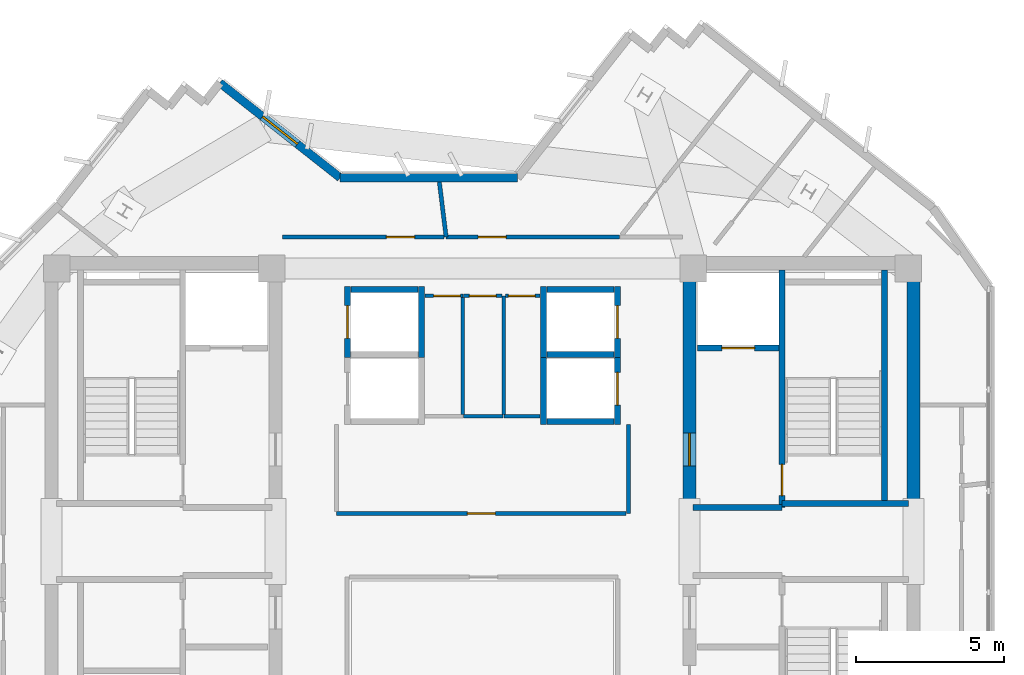
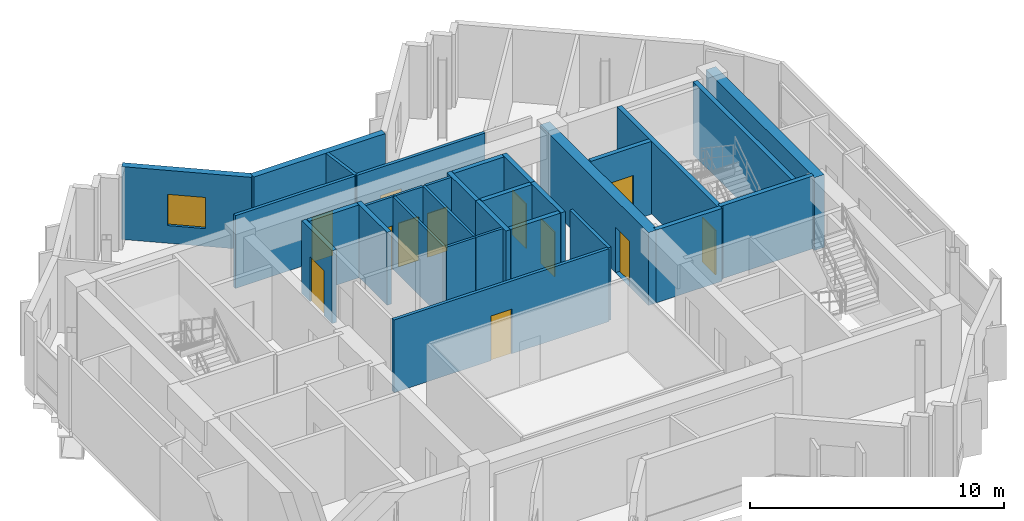
# One storey, part 7 of 10: 31 walls, 12 doors, 1 window, 13 openings.
"""IFC4 building model written with IfcOpenShell, lengths in metres."""

from ifc_helpers import new_model, si_unit, direction, frame, frame_2d, origin, place, context, subcontext, project, spatial, rectangle, extrude, source, transform, mapped, material, layer, layer_set, type_object, element, fill, save


model = new_model("IFC4")

# Units and contexts
model_context = context("Model", 3, precision=1e-05, world=origin(), true_north=direction((0.0, 1.0)))
body_context = subcontext(model_context, "Body", "Model", "MODEL_VIEW")
ifc_project = project(units=[si_unit("LENGTHUNIT", "METRE"), si_unit("AREAUNIT", "SQUARE_METRE"), si_unit("VOLUMEUNIT", "CUBIC_METRE"), si_unit("PLANEANGLEUNIT", "RADIAN"), si_unit("MASSUNIT", "GRAM", prefix="KILO")], contexts=[model_context])

# Site, building, storey
site_placement = place(None, origin())
site = spatial("IfcSite", under=ifc_project, at=site_placement, CompositionType="ELEMENT")
building_placement = place(site_placement, origin())
building = spatial("IfcBuilding", under=site, at=building_placement, Name="Zahravan Cultural Tower", CompositionType="ELEMENT")
storey_placement = place(building_placement, frame((0.0, 0.0, 319.800048828125)))
storey = spatial("IfcBuildingStorey", under=building, at=storey_placement, Name="L77", CompositionType="ELEMENT", Elevation=319.800048828125)

# Wall, opening, door
ifc_material_1 = material(Name="Concrete C50/60", Category="concrete")
ifc_layer_1 = layer(ifc_material_1, 0.449951171875)
ifc_layer_set_1 = layer_set([ifc_layer_1], Name="Concrete C50/60")
wall_type_1 = type_object("IfcWallType", Name="CW-SHEAR-450-C50", PredefinedType="SHEAR", material=ifc_layer_set_1)
wall_1_placement = place(storey_placement, frame((42.97509765625, 28.050048828125, 0.0), z_axis=(0.0, 0.0, 1.0), x_axis=(0.0, 1.0, 0.0)))
wall_1 = element("IfcWall", 1, at=wall_1_placement, inside=storey, type_object=wall_type_1, Name="L77 Core Shear Wall CW-E-WN-L77", PredefinedType="SHEAR", context=body_context, shape_type="SweptSolid", body=[
    extrude(rectangle(XDim=8.550048828125, YDim=0.449951171875, at=frame_2d((4.27490234375, 0.0))), origin(), (0.0, 0.0, 1.0), 3.5),
])
opening_1_placement = place(wall_1_placement, frame((1.5, 0.0, 0.0)))
opening_1 = element("IfcOpeningElement", 2, at=opening_1_placement, cuts=wall_1, Name="Opening D-L77-07", PredefinedType="OPENING", context=body_context, shape_type="SweptSolid", body=[
    extrude(rectangle(XDim=1.10009765625, YDim=2.199951171875, at=frame_2d((0.550048828125, 1.10009765625))), frame((0.0, 0.23486328125, 0.0), z_axis=(0.0, -1.0, 0.0), x_axis=(1.0, 0.0, 0.0)), (0.0, 0.0, 1.0), 0.469970703125),
])
ifc_material_2 = material(Name="Steel ASTM A572 Grade 50", Category="steel")
door_type_1 = type_object("IfcDoorType", Name="DR-LOBBY-1100", OperationType="NOTDEFINED", PredefinedType="DOOR", material=ifc_material_2)
shared_shape_1 = source(origin(), body_context, "Body", "SweptSolid", [
    extrude(rectangle(XDim=1.10009765625, YDim=2.199951171875, at=frame_2d((0.550048828125, 1.10009765625))), frame((0.0, 0.02490234375, 0.0), z_axis=(0.0, -1.0, 0.0), x_axis=(1.0, 0.0, 0.0)), (0.0, 0.0, 1.0), 0.050048828125),
])
door_1_placement = place(opening_1_placement, origin())
door_1 = element("IfcDoor", 3, at=door_1_placement, inside=storey, type_object=door_type_1, Name="L77 Door D-L77-07", OperationType="SINGLE_SWING_LEFT", OverallHeight=2.199951171875, OverallWidth=1.10009765625, PredefinedType="DOOR", context=body_context, shape_type="MappedRepresentation", body=[
    mapped(shared_shape_1, transform((0.0, 0.0, 0.0), x_axis=(1.0, 0.0, 0.0), y_axis=(0.0, 1.0, 0.0), z_axis=(0.0, 0.0, 1.0), scale=1.0)),
])
fill(opening_1, door_1)

# Wall, opening, window
ifc_material_3 = material(Name="Precast concrete C40/50", Category="concrete")
ifc_layer_2 = layer(ifc_material_3, 0.280029296875)
ifc_layer_set_2 = layer_set([ifc_layer_2], Name="Precast concrete C40/50")
wall_type_2 = type_object("IfcWallType", Name="EW-TC-280", PredefinedType="SOLIDWALL", material=ifc_layer_set_2)
wall_2_placement = place(storey_placement, frame((27.14990234375, 42.457763671875, 0.0), z_axis=(0.0, 0.0, 1.0), x_axis=(0.78530363687, -0.61911081231, 0.0)))
wall_2 = element("IfcWall", 4, at=wall_2_placement, inside=storey, type_object=wall_type_2, Name="L77 Exterior Masonry Frame Wall 07", PredefinedType="SOLIDWALL", context=body_context, shape_type="SweptSolid", body=[
    extrude(rectangle(XDim=5.1650390625, YDim=0.280029296875, at=frame_2d((2.58251953125, 0.0))), origin(), (0.0, 0.0, 1.0), 3.5),
])
opening_2_placement = place(wall_2_placement, frame((1.8330078125, 0.0, 0.85009765625)))
opening_2 = element("IfcOpeningElement", 5, at=opening_2_placement, cuts=wall_2, Name="Opening WN-03", PredefinedType="OPENING", context=body_context, shape_type="SweptSolid", body=[
    extrude(rectangle(XDim=1.5, YDim=1.5, at=frame_2d((0.75, 0.75))), frame((0.0, 0.14990234375, 0.0), z_axis=(0.0, -1.0, 0.0), x_axis=(1.0, 0.0, 0.0)), (0.0, 0.0, 1.0), 0.300048828125),
])
ifc_material_4 = material(Name="Low-E solar-control double glazing", Category="glass")
window_type = type_object("IfcWindowType", Name="WN-REC-1500X1500", PartitioningType="SINGLE_PANEL", PredefinedType="WINDOW", material=ifc_material_4)
shared_shape_2 = source(origin(), body_context, "Body", "SweptSolid", [
    extrude(rectangle(XDim=1.5, YDim=1.5, at=frame_2d((0.75, 0.75))), frame((0.0, 0.030029296875, 0.0), z_axis=(0.0, -1.0, 0.0), x_axis=(1.0, 0.0, 0.0)), (0.0, 0.0, 1.0), 0.06005859375),
])
window_placement = place(opening_2_placement, origin())
window = element("IfcWindow", 6, at=window_placement, inside=storey, type_object=window_type, Name="L77 Recessed Solar Window 03", OverallHeight=1.5, OverallWidth=1.5, PartitioningType="SINGLE_PANEL", PredefinedType="WINDOW", context=body_context, shape_type="MappedRepresentation", body=[
    mapped(shared_shape_2, transform((0.0, 0.0, 0.0), x_axis=(1.0, 0.0, 0.0), y_axis=(0.0, 1.0, 0.0), z_axis=(0.0, 0.0, 1.0), scale=1.0)),
])
fill(opening_2, window)

# Wall, opening, door
ifc_material_5 = material(Name="Gypsum plasterboard partition")
ifc_layer_3 = layer(ifc_material_5, 0.139892578125)
ifc_layer_set_3 = layer_set([ifc_layer_3], Name="Gypsum plasterboard partition")
wall_type_3 = type_object("IfcWallType", Name="W-PART-140", PredefinedType="PARTITIONING", material=ifc_layer_set_3)
wall_3_placement = place(storey_placement, frame((40.844970703125, 27.93994140625, 0.0), z_axis=(0.0, 0.0, 1.0), x_axis=(-1.0, 0.0, 0.0)))
wall_3 = element("IfcWall", 7, at=wall_3_placement, inside=storey, type_object=wall_type_3, Name="L77 Interior Wall 074", PredefinedType="PARTITIONING", context=body_context, shape_type="SweptSolid", body=[
    extrude(rectangle(XDim=9.764892578125, YDim=0.139892578125, at=frame_2d((4.88232421875, 0.0))), origin(), (0.0, 0.0, 1.0), 3.5),
])
opening_3_placement = place(wall_3_placement, frame((4.407470703125, 0.0, 0.0)))
opening_3 = element("IfcOpeningElement", 8, at=opening_3_placement, cuts=wall_3, Name="Opening D-L77-16", PredefinedType="OPENING", context=body_context, shape_type="SweptSolid", body=[
    extrude(rectangle(XDim=0.949951171875, YDim=2.14990234375, at=frame_2d((0.47509765625, 1.074951171875))), frame((0.0, 0.079833984375, 0.0), z_axis=(0.0, -1.0, 0.0), x_axis=(1.0, 0.0, 0.0)), (0.0, 0.0, 1.0), 0.159912109375),
])
ifc_material_6 = material(Name="Anodised bronze-aluminium mullion", Category="aluminium")
door_type_2 = type_object("IfcDoorType", Name="DR-ROOM-950", OperationType="NOTDEFINED", PredefinedType="DOOR", material=ifc_material_6)
shared_shape_3 = source(origin(), body_context, "Body", "SweptSolid", [
    extrude(rectangle(XDim=0.949951171875, YDim=2.14990234375, at=frame_2d((0.47509765625, 1.074951171875))), frame((0.0, 0.02490234375, 0.0), z_axis=(0.0, -1.0, 0.0), x_axis=(1.0, 0.0, 0.0)), (0.0, 0.0, 1.0), 0.050048828125),
])
door_2_placement = place(opening_3_placement, origin())
door_2 = element("IfcDoor", 9, at=door_2_placement, inside=storey, type_object=door_type_2, Name="L77 Door D-L77-16", OperationType="SINGLE_SWING_RIGHT", OverallHeight=2.14990234375, OverallWidth=0.949951171875, PredefinedType="DOOR", context=body_context, shape_type="MappedRepresentation", body=[
    mapped(shared_shape_3, transform((0.0, 0.0, 0.0), x_axis=(1.0, 0.0, 0.0), y_axis=(0.0, 1.0, 0.0), z_axis=(0.0, 0.0, 1.0), scale=1.0)),
])
fill(opening_3, door_2)

wall_4_placement = place(storey_placement, frame((40.612060546875, 37.260009765625, 0.0), z_axis=(0.0, 0.0, 1.0), x_axis=(-1.0, 0.0, 0.0)))
wall_4 = element("IfcWall", 10, at=wall_4_placement, inside=storey, type_object=wall_type_3, Name="L77 Interior Wall 076", PredefinedType="PARTITIONING", context=body_context, shape_type="SweptSolid", body=[
    extrude(rectangle(XDim=5.836669921875, YDim=0.139892578125, at=frame_2d((2.91845703125, 0.0))), origin(), (0.0, 0.0, 1.0), 3.5),
])
opening_4_placement = place(wall_4_placement, frame((3.8115234375, 0.0, 0.0)))
opening_4 = element("IfcOpeningElement", 11, at=opening_4_placement, cuts=wall_4, Name="Opening D-L77-18", PredefinedType="OPENING", context=body_context, shape_type="SweptSolid", body=[
    extrude(rectangle(XDim=0.949951171875, YDim=2.14990234375, at=frame_2d((0.47509765625, 1.074951171875))), frame((0.0, 0.079833984375, 0.0), z_axis=(0.0, -1.0, 0.0), x_axis=(1.0, 0.0, 0.0)), (0.0, 0.0, 1.0), 0.159912109375),
])
door_3_placement = place(opening_4_placement, origin())
door_3 = element("IfcDoor", 12, at=door_3_placement, inside=storey, type_object=door_type_2, Name="L77 Door D-L77-18", OperationType="SINGLE_SWING_RIGHT", OverallHeight=2.14990234375, OverallWidth=0.949951171875, PredefinedType="DOOR", context=body_context, shape_type="MappedRepresentation", body=[
    mapped(shared_shape_3, transform((0.0, 0.0, 0.0), x_axis=(1.0, 0.0, 0.0), y_axis=(0.0, 1.0, 0.0), z_axis=(0.0, 0.0, 1.0), scale=1.0)),
])
fill(opening_4, door_3)

wall_5_placement = place(storey_placement, frame((34.69970703125, 37.260009765625, 0.0), z_axis=(0.0, 0.0, 1.0), x_axis=(-0.999999995981, -8.9657955e-05, 0.0)))
wall_5 = element("IfcWall", 13, at=wall_5_placement, inside=storey, type_object=wall_type_3, Name="L77 Interior Wall 080", PredefinedType="PARTITIONING", context=body_context, shape_type="SweptSolid", body=[
    extrude(rectangle(XDim=5.446044921875, YDim=0.139892578125, at=frame_2d((2.72314453125, 0.0))), origin(), (0.0, 0.0, 1.0), 3.5),
])
opening_5_placement = place(wall_5_placement, frame((0.989013671875, 0.0, 0.0)))
opening_5 = element("IfcOpeningElement", 14, at=opening_5_placement, cuts=wall_5, Name="Opening D-L77-19", PredefinedType="OPENING", context=body_context, shape_type="SweptSolid", body=[
    extrude(rectangle(XDim=0.949951171875, YDim=2.14990234375, at=frame_2d((0.47509765625, 1.074951171875))), frame((0.0, 0.079833984375, 0.0), z_axis=(0.0, -1.0, 0.0), x_axis=(1.0, 0.0, 0.0)), (0.0, 0.0, 1.0), 0.159912109375),
])
door_4_placement = place(opening_5_placement, origin())
door_4 = element("IfcDoor", 15, at=door_4_placement, inside=storey, type_object=door_type_2, Name="L77 Door D-L77-19", OperationType="SINGLE_SWING_LEFT", OverallHeight=2.14990234375, OverallWidth=0.949951171875, PredefinedType="DOOR", context=body_context, shape_type="MappedRepresentation", body=[
    mapped(shared_shape_3, transform((0.0, 0.0, 0.0), x_axis=(1.0, 0.0, 0.0), y_axis=(0.0, 1.0, 0.0), z_axis=(0.0, 0.0, 1.0), scale=1.0)),
])
fill(opening_5, door_4)

ifc_material_7 = material(Name="Concrete C45/55", Category="concrete")
ifc_layer_4 = layer(ifc_material_7, 0.199951171875)
ifc_layer_set_4 = layer_set([ifc_layer_4], Name="Concrete C45/55")
wall_type_4 = type_object("IfcWallType", Name="W-SHAFT-200", PredefinedType="SOLIDWALL", material=ifc_layer_set_4)
wall_6_placement = place(storey_placement, frame((46.10009765625, 28.14990234375, 0.0), z_axis=(0.0, 0.0, 1.0), x_axis=(0.0, 1.0, 0.0)))
wall_6 = element("IfcWall", 16, at=wall_6_placement, inside=storey, type_object=wall_type_4, Name="L77 Interior Wall 008", PredefinedType="SOLIDWALL", context=body_context, shape_type="SweptSolid", body=[
    extrude(rectangle(XDim=8.0, YDim=0.199951171875, at=frame_2d((4.0, 0.0))), origin(), (0.0, 0.0, 1.0), 3.5),
])
opening_6_placement = place(wall_6_placement, frame((0.39990234375, 0.0, 0.0)))
opening_6 = element("IfcOpeningElement", 17, at=opening_6_placement, cuts=wall_6, Name="Opening D-L77-02", PredefinedType="OPENING", context=body_context, shape_type="SweptSolid", body=[
    extrude(rectangle(XDim=1.050048828125, YDim=2.14990234375, at=frame_2d((0.52490234375, 1.074951171875))), frame((0.0, 0.10986328125, 0.0), z_axis=(0.0, -1.0, 0.0), x_axis=(1.0, 0.0, 0.0)), (0.0, 0.0, 1.0), 0.219970703125),
])
door_type_3 = type_object("IfcDoorType", Name="DR-STAIR-1050", OperationType="NOTDEFINED", PredefinedType="DOOR", material=ifc_material_2)
shared_shape_4 = source(origin(), body_context, "Body", "SweptSolid", [
    extrude(rectangle(XDim=1.050048828125, YDim=2.14990234375, at=frame_2d((0.52490234375, 1.074951171875))), frame((0.0, 0.02490234375, 0.0), z_axis=(0.0, -1.0, 0.0), x_axis=(1.0, 0.0, 0.0)), (0.0, 0.0, 1.0), 0.050048828125),
])
door_5_placement = place(opening_6_placement, origin())
door_5 = element("IfcDoor", 18, at=door_5_placement, inside=storey, type_object=door_type_3, Name="L77 Door D-L77-02", OperationType="SINGLE_SWING_RIGHT", OverallHeight=2.14990234375, OverallWidth=1.050048828125, PredefinedType="DOOR", context=body_context, shape_type="MappedRepresentation", body=[
    mapped(shared_shape_4, transform((0.0, 0.0, 0.0), x_axis=(1.0, 0.0, 0.0), y_axis=(0.0, 1.0, 0.0), z_axis=(0.0, 0.0, 1.0), scale=1.0)),
])
fill(opening_6, door_5)

wall_7_placement = place(storey_placement, frame((43.25, 33.52001953125, 0.0), z_axis=(0.0, 0.0, 1.0), x_axis=(1.0, 0.0, 0.0)))
wall_7 = element("IfcWall", 19, at=wall_7_placement, inside=storey, type_object=wall_type_4, Name="L77 Interior Wall 023", PredefinedType="SOLIDWALL", context=body_context, shape_type="SweptSolid", body=[
    extrude(rectangle(XDim=2.75, YDim=0.199951171875, at=frame_2d((1.375, 0.0))), origin(), (0.0, 0.0, 1.0), 3.5),
])
opening_7_placement = place(wall_7_placement, frame((0.820068359375, 0.0, 0.0)))
opening_7 = element("IfcOpeningElement", 20, at=opening_7_placement, cuts=wall_7, Name="Opening LD-L77-02", PredefinedType="OPENING", context=body_context, shape_type="SweptSolid", body=[
    extrude(rectangle(XDim=1.10009765625, YDim=2.14990234375, at=frame_2d((0.550048828125, 1.074951171875))), frame((0.0, 0.10986328125, 0.0), z_axis=(0.0, -1.0, 0.0), x_axis=(1.0, 0.0, 0.0)), (0.0, 0.0, 1.0), 0.219970703125),
])
door_type_4 = type_object("IfcDoorType", Name="DR-LIFT-1100", OperationType="DOUBLE_DOOR_SLIDING", PredefinedType="DOOR", material=ifc_material_2)
shared_shape_5 = source(origin(), body_context, "Body", "SweptSolid", [
    extrude(rectangle(XDim=1.10009765625, YDim=2.14990234375, at=frame_2d((0.550048828125, 1.074951171875))), frame((0.0, 0.02490234375, 0.0), z_axis=(0.0, -1.0, 0.0), x_axis=(1.0, 0.0, 0.0)), (0.0, 0.0, 1.0), 0.050048828125),
])
door_6_placement = place(opening_7_placement, origin())
door_6 = element("IfcDoor", 21, at=door_6_placement, inside=storey, type_object=door_type_4, Name="L77 Door LD-L77-02", OperationType="DOUBLE_DOOR_SLIDING", OverallHeight=2.14990234375, OverallWidth=1.10009765625, PredefinedType="DOOR", context=body_context, shape_type="MappedRepresentation", body=[
    mapped(shared_shape_5, transform((0.0, 0.0, 0.0), x_axis=(1.0, 0.0, 0.0), y_axis=(0.0, 1.0, 0.0), z_axis=(0.0, 0.0, 1.0), scale=1.0)),
])
fill(opening_7, door_6)

wall_8_placement = place(storey_placement, frame((31.449951171875, 33.199951171875, 0.0), z_axis=(0.0, 0.0, 1.0), x_axis=(0.0, 1.0, 0.0)))
wall_8 = element("IfcWall", 22, at=wall_8_placement, inside=storey, type_object=wall_type_4, Name="L77 Interior Wall 027", PredefinedType="SOLIDWALL", context=body_context, shape_type="SweptSolid", body=[
    extrude(rectangle(XDim=2.400146484375, YDim=0.199951171875, at=frame_2d((1.2001953125, 0.0))), origin(), (0.0, 0.0, 1.0), 3.5),
])
opening_8_placement = place(wall_8_placement, frame((0.64990234375, 0.0, 0.0)))
opening_8 = element("IfcOpeningElement", 23, at=opening_8_placement, cuts=wall_8, Name="Opening LD-L77-04", PredefinedType="OPENING", context=body_context, shape_type="SweptSolid", body=[
    extrude(rectangle(XDim=1.10009765625, YDim=2.14990234375, at=frame_2d((0.550048828125, 1.074951171875))), frame((0.0, 0.10986328125, 0.0), z_axis=(0.0, -1.0, 0.0), x_axis=(1.0, 0.0, 0.0)), (0.0, 0.0, 1.0), 0.219970703125),
])
door_7_placement = place(opening_8_placement, origin())
door_7 = element("IfcDoor", 24, at=door_7_placement, inside=storey, type_object=door_type_4, Name="L77 Door LD-L77-04", OperationType="DOUBLE_DOOR_SLIDING", OverallHeight=2.14990234375, OverallWidth=1.10009765625, PredefinedType="DOOR", context=body_context, shape_type="MappedRepresentation", body=[
    mapped(shared_shape_5, transform((0.0, 0.0, 0.0), x_axis=(1.0, 0.0, 0.0), y_axis=(0.0, 1.0, 0.0), z_axis=(0.0, 0.0, 1.0), scale=1.0)),
])
fill(opening_8, door_7)

wall_9_placement = place(storey_placement, frame((40.550048828125, 33.199951171875, 0.0), z_axis=(0.0, 0.0, 1.0), x_axis=(0.0, 1.0, 0.0)))
wall_9 = element("IfcWall", 25, at=wall_9_placement, inside=storey, type_object=wall_type_4, Name="L77 Interior Wall 035", PredefinedType="SOLIDWALL", context=body_context, shape_type="SweptSolid", body=[
    extrude(rectangle(XDim=2.400146484375, YDim=0.199951171875, at=frame_2d((1.2001953125, 0.0))), origin(), (0.0, 0.0, 1.0), 3.5),
])
opening_9_placement = place(wall_9_placement, frame((0.64990234375, 0.0, 0.0)))
opening_9 = element("IfcOpeningElement", 26, at=opening_9_placement, cuts=wall_9, Name="Opening LD-L77-06", PredefinedType="OPENING", context=body_context, shape_type="SweptSolid", body=[
    extrude(rectangle(XDim=1.10009765625, YDim=2.14990234375, at=frame_2d((0.550048828125, 1.074951171875))), frame((0.0, 0.10986328125, 0.0), z_axis=(0.0, -1.0, 0.0), x_axis=(1.0, 0.0, 0.0)), (0.0, 0.0, 1.0), 0.219970703125),
])
door_8_placement = place(opening_9_placement, origin())
door_8 = element("IfcDoor", 27, at=door_8_placement, inside=storey, type_object=door_type_4, Name="L77 Door LD-L77-06", OperationType="DOUBLE_DOOR_SLIDING", OverallHeight=2.14990234375, OverallWidth=1.10009765625, PredefinedType="DOOR", context=body_context, shape_type="MappedRepresentation", body=[
    mapped(shared_shape_5, transform((0.0, 0.0, 0.0), x_axis=(1.0, 0.0, 0.0), y_axis=(0.0, 1.0, 0.0), z_axis=(0.0, 0.0, 1.0), scale=1.0)),
])
fill(opening_9, door_8)

wall_10_placement = place(storey_placement, frame((40.550048828125, 30.949951171875, 0.0), z_axis=(0.0, 0.0, 1.0), x_axis=(0.0, 1.0, 0.0)))
wall_10 = element("IfcWall", 28, at=wall_10_placement, inside=storey, type_object=wall_type_4, Name="L77 Interior Wall 039", PredefinedType="SOLIDWALL", context=body_context, shape_type="SweptSolid", body=[
    extrude(rectangle(XDim=2.400146484375, YDim=0.199951171875, at=frame_2d((1.2001953125, 0.0))), origin(), (0.0, 0.0, 1.0), 3.5),
])
opening_10_placement = place(wall_10_placement, frame((0.64990234375, 0.0, 0.0)))
opening_10 = element("IfcOpeningElement", 29, at=opening_10_placement, cuts=wall_10, Name="Opening LD-L77-07", PredefinedType="OPENING", context=body_context, shape_type="SweptSolid", body=[
    extrude(rectangle(XDim=1.10009765625, YDim=2.14990234375, at=frame_2d((0.550048828125, 1.074951171875))), frame((0.0, 0.10986328125, 0.0), z_axis=(0.0, -1.0, 0.0), x_axis=(1.0, 0.0, 0.0)), (0.0, 0.0, 1.0), 0.219970703125),
])
door_9_placement = place(opening_10_placement, origin())
door_9 = element("IfcDoor", 30, at=door_9_placement, inside=storey, type_object=door_type_4, Name="L77 Door LD-L77-07", OperationType="DOUBLE_DOOR_SLIDING", OverallHeight=2.14990234375, OverallWidth=1.10009765625, PredefinedType="DOOR", context=body_context, shape_type="MappedRepresentation", body=[
    mapped(shared_shape_5, transform((0.0, 0.0, 0.0), x_axis=(1.0, 0.0, 0.0), y_axis=(0.0, 1.0, 0.0), z_axis=(0.0, 0.0, 1.0), scale=1.0)),
])
fill(opening_10, door_9)

ifc_layer_5 = layer(ifc_material_5, 0.114990234375)
ifc_layer_set_5 = layer_set([ifc_layer_5], Name="Gypsum plasterboard partition")
wall_type_5 = type_object("IfcWallType", Name="W-WC-115", PredefinedType="PARTITIONING", material=ifc_layer_set_5)
wall_11_placement = place(storey_placement, frame((36.782470703125, 35.280029296875, 0.0), z_axis=(0.0, 0.0, 1.0), x_axis=(1.0, 0.0, 0.0)))
wall_11 = element("IfcWall", 31, at=wall_11_placement, inside=storey, type_object=wall_type_5, Name="L77 Interior Wall 043", PredefinedType="PARTITIONING", context=body_context, shape_type="SweptSolid", body=[
    extrude(rectangle(XDim=1.16259765625, YDim=0.114990234375, at=frame_2d((0.581298828125, 0.0))), origin(), (0.0, 0.0, 1.0), 3.5),
])
opening_11_placement = place(wall_11_placement, frame((0.0888671875, 0.0, 0.0)))
opening_11 = element("IfcOpeningElement", 32, at=opening_11_placement, cuts=wall_11, Name="Opening D-L77-15", PredefinedType="OPENING", context=body_context, shape_type="SweptSolid", body=[
    extrude(rectangle(XDim=0.89990234375, YDim=2.10009765625, at=frame_2d((0.449951171875, 1.050048828125))), frame((0.0, 0.0673828125, 0.0), z_axis=(0.0, -1.0, 0.0), x_axis=(1.0, 0.0, 0.0)), (0.0, 0.0, 1.0), 0.135009765625),
])
door_type_5 = type_object("IfcDoorType", Name="DR-WC-900", OperationType="NOTDEFINED", PredefinedType="DOOR", material=ifc_material_6)
shared_shape_6 = source(origin(), body_context, "Body", "SweptSolid", [
    extrude(rectangle(XDim=0.89990234375, YDim=2.10009765625, at=frame_2d((0.449951171875, 1.050048828125))), frame((0.0, 0.02490234375, 0.0), z_axis=(0.0, -1.0, 0.0), x_axis=(1.0, 0.0, 0.0)), (0.0, 0.0, 1.0), 0.050048828125),
])
door_10_placement = place(opening_11_placement, origin())
door_10 = element("IfcDoor", 33, at=door_10_placement, inside=storey, type_object=door_type_5, Name="L77 Door D-L77-15", OperationType="SINGLE_SWING_LEFT", OverallHeight=2.10009765625, OverallWidth=0.89990234375, PredefinedType="DOOR", context=body_context, shape_type="MappedRepresentation", body=[
    mapped(shared_shape_6, transform((0.0, 0.0, 0.0), x_axis=(1.0, 0.0, 0.0), y_axis=(0.0, 1.0, 0.0), z_axis=(0.0, 0.0, 1.0), scale=1.0)),
])
fill(opening_11, door_10)

wall_12_placement = place(storey_placement, frame((34.054931640625, 35.280029296875, 0.0), z_axis=(0.0, 0.0, 1.0), x_axis=(1.0, 0.0, 0.0)))
wall_12 = element("IfcWall", 34, at=wall_12_placement, inside=storey, type_object=wall_type_5, Name="L77 Interior Wall 045", PredefinedType="PARTITIONING", context=body_context, shape_type="SweptSolid", body=[
    extrude(rectangle(XDim=1.28515625, YDim=0.114990234375, at=frame_2d((0.642578125, 0.0))), origin(), (0.0, 0.0, 1.0), 3.5),
])
opening_12_placement = place(wall_12_placement, frame((0.30029296875, 0.0, 0.0)))
opening_12 = element("IfcOpeningElement", 35, at=opening_12_placement, cuts=wall_12, Name="Opening D-L77-13", PredefinedType="OPENING", context=body_context, shape_type="SweptSolid", body=[
    extrude(rectangle(XDim=0.89990234375, YDim=2.10009765625, at=frame_2d((0.449951171875, 1.050048828125))), frame((0.0, 0.0673828125, 0.0), z_axis=(0.0, -1.0, 0.0), x_axis=(1.0, 0.0, 0.0)), (0.0, 0.0, 1.0), 0.135009765625),
])
door_11_placement = place(opening_12_placement, origin())
door_11 = element("IfcDoor", 36, at=door_11_placement, inside=storey, type_object=door_type_5, Name="L77 Door D-L77-13", OperationType="SINGLE_SWING_LEFT", OverallHeight=2.10009765625, OverallWidth=0.89990234375, PredefinedType="DOOR", context=body_context, shape_type="MappedRepresentation", body=[
    mapped(shared_shape_6, transform((0.0, 0.0, 0.0), x_axis=(1.0, 0.0, 0.0), y_axis=(0.0, 1.0, 0.0), z_axis=(0.0, 0.0, 1.0), scale=1.0)),
])
fill(opening_12, door_11)

wall_13_placement = place(storey_placement, frame((35.360107421875, 35.280029296875, 0.0), z_axis=(0.0, 0.0, 1.0), x_axis=(1.0, 0.0, 0.0)))
wall_13 = element("IfcWall", 37, at=wall_13_placement, inside=storey, type_object=wall_type_5, Name="L77 Interior Wall 048", PredefinedType="PARTITIONING", context=body_context, shape_type="SweptSolid", body=[
    extrude(rectangle(XDim=1.29736328125, YDim=0.114990234375, at=frame_2d((0.648681640625, 0.0))), origin(), (0.0, 0.0, 1.0), 3.5),
])
opening_13_placement = place(wall_13_placement, frame((0.19873046875, 0.0, 0.0)))
opening_13 = element("IfcOpeningElement", 38, at=opening_13_placement, cuts=wall_13, Name="Opening D-L77-14", PredefinedType="OPENING", context=body_context, shape_type="SweptSolid", body=[
    extrude(rectangle(XDim=0.89990234375, YDim=2.10009765625, at=frame_2d((0.449951171875, 1.050048828125))), frame((0.0, 0.0673828125, 0.0), z_axis=(0.0, -1.0, 0.0), x_axis=(1.0, 0.0, 0.0)), (0.0, 0.0, 1.0), 0.135009765625),
])
door_12_placement = place(opening_13_placement, origin())
door_12 = element("IfcDoor", 39, at=door_12_placement, inside=storey, type_object=door_type_5, Name="L77 Door D-L77-14", OperationType="SINGLE_SWING_RIGHT", OverallHeight=2.10009765625, OverallWidth=0.89990234375, PredefinedType="DOOR", context=body_context, shape_type="MappedRepresentation", body=[
    mapped(shared_shape_6, transform((0.0, 0.0, 0.0), x_axis=(1.0, 0.0, 0.0), y_axis=(0.0, 1.0, 0.0), z_axis=(0.0, 0.0, 1.0), scale=1.0)),
])
fill(opening_13, door_12)

# Walls
shared_shape_7 = source(origin(), body_context, "Body", "SweptSolid", [
    extrude(rectangle(XDim=8.550048828125, YDim=0.449951171875, at=frame_2d((4.27490234375, 0.0))), origin(), (0.0, 0.0, 1.0), 3.5),
])
wall_14_placement = place(storey_placement, frame((50.52490234375, 28.050048828125, 0.0), z_axis=(0.0, 0.0, 1.0), x_axis=(0.0, 1.0, 0.0)))
element("IfcWall", 40, at=wall_14_placement, inside=storey, type_object=wall_type_1, Name="L77 Core Shear Wall CW-E-EN-L77", PredefinedType="SHEAR", context=body_context, shape_type="MappedRepresentation", body=[
    mapped(shared_shape_7, transform((0.0, 0.0, 0.0), x_axis=(1.0, 0.0, 0.0), y_axis=(0.0, 1.0, 0.0), z_axis=(0.0, 0.0, 1.0), scale=1.0)),
])
shared_shape_8 = source(origin(), body_context, "Body", "SweptSolid", [
    extrude(rectangle(XDim=5.978271484375, YDim=0.280029296875, at=frame_2d((2.9892578125, 0.0))), origin(), (0.0, 0.0, 1.0), 3.5),
])
wall_15_placement = place(storey_placement, frame((31.2060546875, 39.260009765625, 0.0), z_axis=(0.0, 0.0, 1.0), x_axis=(1.0, 0.0, 0.0)))
element("IfcWall", 41, at=wall_15_placement, inside=storey, type_object=wall_type_2, Name="L77 Exterior Masonry Frame Wall 08", PredefinedType="SOLIDWALL", context=body_context, shape_type="MappedRepresentation", body=[
    mapped(shared_shape_8, transform((0.0, 0.0, 0.0), x_axis=(1.0, 0.0, 0.0), y_axis=(0.0, 1.0, 0.0), z_axis=(0.0, 0.0, 1.0), scale=1.0)),
])
shared_shape_9 = source(origin(), body_context, "Body", "SweptSolid", [
    extrude(rectangle(XDim=7.869873046875, YDim=0.199951171875, at=frame_2d((3.93505859375, 0.0))), origin(), (0.0, 0.0, 1.0), 3.5),
])
wall_16_placement = place(storey_placement, frame((49.550048828125, 28.280029296875, 0.0), z_axis=(0.0, 0.0, 1.0), x_axis=(0.0, 1.0, 0.0)))
element("IfcWall", 42, at=wall_16_placement, inside=storey, type_object=wall_type_4, Name="L77 Interior Wall 004", PredefinedType="SOLIDWALL", context=body_context, shape_type="MappedRepresentation", body=[
    mapped(shared_shape_9, transform((0.0, 0.0, 0.0), x_axis=(1.0, 0.0, 0.0), y_axis=(0.0, 1.0, 0.0), z_axis=(0.0, 0.0, 1.0), scale=1.0)),
])
shared_shape_10 = source(origin(), body_context, "Body", "SweptSolid", [
    extrude(rectangle(XDim=4.25, YDim=0.199951171875, at=frame_2d((2.125, 0.0))), origin(), (0.0, 0.0, 1.0), 3.5),
])
wall_17_placement = place(storey_placement, frame((46.10009765625, 28.284912109375, 0.0), z_axis=(0.0, 0.0, 1.0), x_axis=(1.0, 0.0, 0.0)))
element("IfcWall", 43, at=wall_17_placement, inside=storey, type_object=wall_type_4, Name="L77 Interior Wall 016", PredefinedType="SOLIDWALL", context=body_context, shape_type="MappedRepresentation", body=[
    mapped(shared_shape_10, transform((0.0, 0.0, 0.0), x_axis=(1.0, 0.0, 0.0), y_axis=(0.0, 1.0, 0.0), z_axis=(0.0, 0.0, 1.0), scale=1.0)),
])
shared_shape_11 = source(origin(), body_context, "Body", "SweptSolid", [
    extrude(rectangle(XDim=3.0, YDim=0.199951171875, at=frame_2d((1.5, 0.0))), origin(), (0.0, 0.0, 1.0), 3.5),
])
wall_18_placement = place(storey_placement, frame((43.10009765625, 28.14990234375, 0.0), z_axis=(0.0, 0.0, 1.0), x_axis=(1.0, 0.0, 0.0)))
element("IfcWall", 44, at=wall_18_placement, inside=storey, type_object=wall_type_4, Name="L77 Interior Wall 015", PredefinedType="SOLIDWALL", context=body_context, shape_type="MappedRepresentation", body=[
    mapped(shared_shape_11, transform((0.0, 0.0, 0.0), x_axis=(1.0, 0.0, 0.0), y_axis=(0.0, 1.0, 0.0), z_axis=(0.0, 0.0, 1.0), scale=1.0)),
])
shared_shape_12 = source(origin(), body_context, "Body", "SweptSolid", [
    extrude(rectangle(XDim=2.400146484375, YDim=0.199951171875, at=frame_2d((1.2001953125, 0.0))), origin(), (0.0, 0.0, 1.0), 3.5),
])
for number, where, z_axis, x_axis, name in (
    (45, (33.949951171875, 33.199951171875, 0.0), (0.0, 0.0, 1.0), (0.0, 1.0, 0.0), "L77 Interior Wall 028"),
    (46, (38.050048828125, 33.199951171875, 0.0), (0.0, 0.0, 1.0), (0.0, 1.0, 0.0), "L77 Interior Wall 034"),
    (47, (38.050048828125, 30.949951171875, 0.0), (0.0, 0.0, 1.0), (0.0, 1.0, 0.0), "L77 Interior Wall 038"),
):
    element("IfcWall", number, at=place(storey_placement, frame(where, z_axis=z_axis, x_axis=x_axis)), inside=storey, type_object=wall_type_4, Name=name, PredefinedType="SOLIDWALL", context=body_context, shape_type="MappedRepresentation", body=[
        mapped(shared_shape_12, transform((0.0, 0.0, 0.0), x_axis=(1.0, 0.0, 0.0), y_axis=(0.0, 1.0, 0.0), z_axis=(0.0, 0.0, 1.0), scale=1.0)),
    ])
shared_shape_13 = source(origin(), body_context, "Body", "SweptSolid", [
    extrude(rectangle(XDim=2.260009765625, YDim=0.199951171875, at=frame_2d((1.1298828125, 0.0))), origin(), (0.0, 0.0, 1.0), 3.5),
])
for number, where, z_axis, x_axis, name in (
    (48, (31.570068359375, 35.5, 0.0), (0.0, 0.0, 1.0), (1.0, 0.0, 0.0), "L77 Interior Wall 030"),
    (49, (38.169921875, 33.300048828125, 0.0), (0.0, 0.0, 1.0), (1.0, 0.0, 0.0), "L77 Interior Wall 036"),
    (50, (38.169921875, 35.5, 0.0), (0.0, 0.0, 1.0), (1.0, 0.0, 0.0), "L77 Interior Wall 037"),
    (51, (38.169921875, 31.050048828125, 0.0), (0.0, 0.0, 1.0), (1.0, 0.0, 0.0), "L77 Interior Wall 040"),
):
    element("IfcWall", number, at=place(storey_placement, frame(where, z_axis=z_axis, x_axis=x_axis)), inside=storey, type_object=wall_type_4, Name=name, PredefinedType="SOLIDWALL", context=body_context, shape_type="MappedRepresentation", body=[
        mapped(shared_shape_13, transform((0.0, 0.0, 0.0), x_axis=(1.0, 0.0, 0.0), y_axis=(0.0, 1.0, 0.0), z_axis=(0.0, 0.0, 1.0), scale=1.0)),
    ])
shared_shape_14 = source(origin(), body_context, "Body", "SweptSolid", [
    extrude(rectangle(XDim=1.22509765625, YDim=0.114990234375, at=frame_2d((0.612548828125, 0.0))), origin(), (0.0, 0.0, 1.0), 3.5),
])
wall_19_placement = place(storey_placement, frame((37.945068359375, 31.219970703125, 0.0), z_axis=(0.0, 0.0, 1.0), x_axis=(-1.0, 0.0, 0.0)))
element("IfcWall", 52, at=wall_19_placement, inside=storey, type_object=wall_type_5, Name="L77 Interior Wall 041", PredefinedType="PARTITIONING", context=body_context, shape_type="MappedRepresentation", body=[
    mapped(shared_shape_14, transform((0.0, 0.0, 0.0), x_axis=(1.0, 0.0, 0.0), y_axis=(0.0, 1.0, 0.0), z_axis=(0.0, 0.0, 1.0), scale=1.0)),
])
shared_shape_15 = source(origin(), body_context, "Body", "SweptSolid", [
    extrude(rectangle(XDim=3.99755859375, YDim=0.114990234375, at=frame_2d((1.998779296875, 0.0))), origin(), (0.0, 0.0, 1.0), 3.5),
])
wall_20_placement = place(storey_placement, frame((36.719970703125, 31.282470703125, 0.0), z_axis=(0.0, 0.0, 1.0), x_axis=(0.0, 1.0, 0.0)))
element("IfcWall", 53, at=wall_20_placement, inside=storey, type_object=wall_type_5, Name="L77 Interior Wall 042", PredefinedType="PARTITIONING", context=body_context, shape_type="MappedRepresentation", body=[
    mapped(shared_shape_15, transform((0.0, 0.0, 0.0), x_axis=(1.0, 0.0, 0.0), y_axis=(0.0, 1.0, 0.0), z_axis=(0.0, 0.0, 1.0), scale=1.0)),
])
shared_shape_16 = source(origin(), body_context, "Body", "SweptSolid", [
    extrude(rectangle(XDim=3.93505859375, YDim=0.114990234375, at=frame_2d((1.967529296875, 0.0))), origin(), (0.0, 0.0, 1.0), 3.5),
])
wall_21_placement = place(storey_placement, frame((35.340087890625, 35.217529296875, 0.0), z_axis=(0.0, 0.0, 1.0), x_axis=(0.0, -1.0, 0.0)))
element("IfcWall", 54, at=wall_21_placement, inside=storey, type_object=wall_type_5, Name="L77 Interior Wall 046", PredefinedType="PARTITIONING", context=body_context, shape_type="MappedRepresentation", body=[
    mapped(shared_shape_16, transform((0.0, 0.0, 0.0), x_axis=(1.0, 0.0, 0.0), y_axis=(0.0, 1.0, 0.0), z_axis=(0.0, 0.0, 1.0), scale=1.0)),
])
shared_shape_17 = source(origin(), body_context, "Body", "SweptSolid", [
    extrude(rectangle(XDim=1.33984375, YDim=0.114990234375, at=frame_2d((0.669921875, 0.0))), origin(), (0.0, 0.0, 1.0), 3.5),
])
wall_22_placement = place(storey_placement, frame((36.699951171875, 31.219970703125, 0.0), z_axis=(0.0, 0.0, 1.0), x_axis=(-1.0, 0.0, 0.0)))
element("IfcWall", 55, at=wall_22_placement, inside=storey, type_object=wall_type_5, Name="L77 Interior Wall 047", PredefinedType="PARTITIONING", context=body_context, shape_type="MappedRepresentation", body=[
    mapped(shared_shape_17, transform((0.0, 0.0, 0.0), x_axis=(1.0, 0.0, 0.0), y_axis=(0.0, 1.0, 0.0), z_axis=(0.0, 0.0, 1.0), scale=1.0)),
])
shared_shape_18 = source(origin(), body_context, "Body", "SweptSolid", [
    extrude(rectangle(XDim=3.010009765625, YDim=0.139892578125, at=frame_2d((1.5048828125, 0.0))), origin(), (0.0, 0.0, 1.0), 3.5),
])
wall_23_placement = place(storey_placement, frame((40.919921875, 30.949951171875, 0.0), z_axis=(0.0, 0.0, 1.0), x_axis=(0.0, -1.0, 0.0)))
element("IfcWall", 56, at=wall_23_placement, inside=storey, type_object=wall_type_3, Name="L77 Interior Wall 073", PredefinedType="PARTITIONING", context=body_context, shape_type="MappedRepresentation", body=[
    mapped(shared_shape_18, transform((0.0, 0.0, 0.0), x_axis=(1.0, 0.0, 0.0), y_axis=(0.0, 1.0, 0.0), z_axis=(0.0, 0.0, 1.0), scale=1.0)),
])
shared_shape_19 = source(origin(), body_context, "Body", "SweptSolid", [
    extrude(rectangle(XDim=1.86865234375, YDim=0.139892578125, at=frame_2d((0.934326171875, 0.0))), origin(), (0.0, 0.0, 1.0), 3.5),
])
wall_24_placement = place(storey_placement, frame((34.775390625, 37.26025390625, 0.0), z_axis=(0.0, 0.0, 1.0), x_axis=(-0.122153221409, 0.992511254596, 0.0)))
element("IfcWall", 57, at=wall_24_placement, inside=storey, type_object=wall_type_3, Name="L77 Interior Wall 077", PredefinedType="PARTITIONING", context=body_context, shape_type="MappedRepresentation", body=[
    mapped(shared_shape_19, transform((0.0, 0.0, 0.0), x_axis=(1.0, 0.0, 0.0), y_axis=(0.0, 1.0, 0.0), z_axis=(0.0, 0.0, 1.0), scale=1.0)),
])

save(model, "model.ifc")
